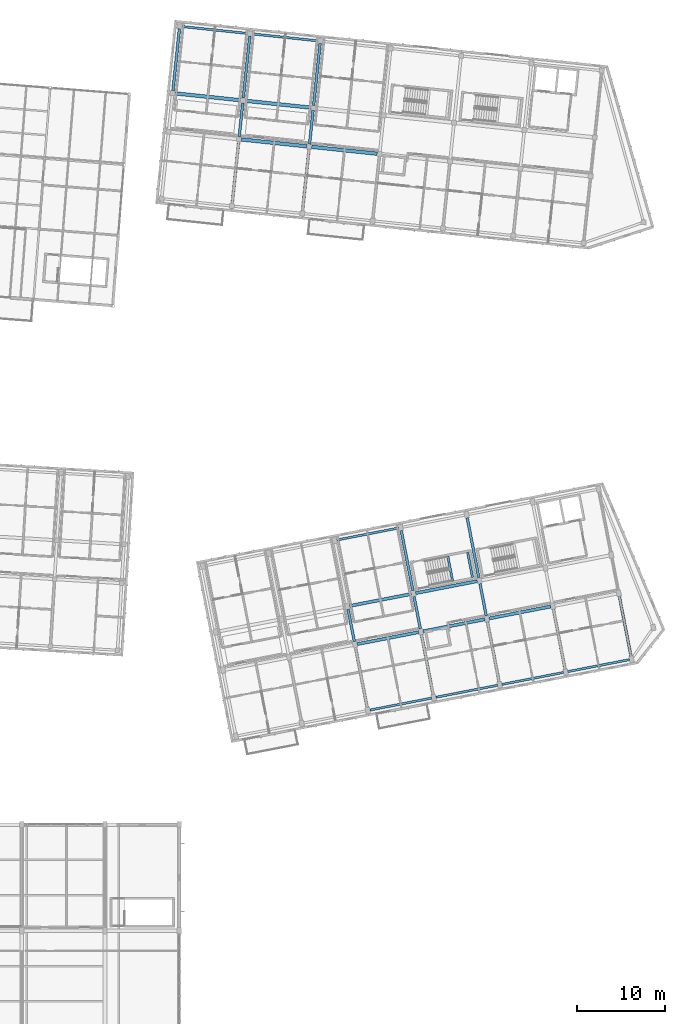
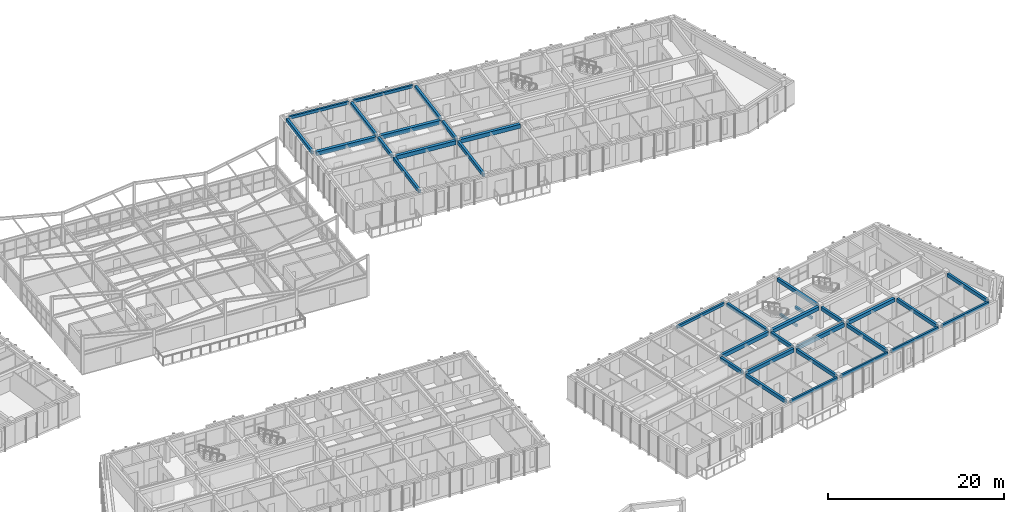
# One storey, part 55 of 127: 35 beams.
"""IFC4 building model written with IfcOpenShell, lengths in metres."""

from ifc_helpers import new_model, si_unit, direction, frame, origin, origin_2d, place, context, subcontext, project, spatial, rectangle, extrude, material, material_profile, profile_set, type_object, element, save


model = new_model("IFC4")

# Units and contexts
model_context = context("Model", 3, precision=1e-05, world=origin(), true_north=direction((0.0, 1.0)))
body_context = subcontext(model_context, "Body", "Model", "MODEL_VIEW")
ifc_project = project(units=[si_unit("LENGTHUNIT", "METRE"), si_unit("AREAUNIT", "SQUARE_METRE"), si_unit("VOLUMEUNIT", "CUBIC_METRE"), si_unit("PLANEANGLEUNIT", "RADIAN"), si_unit("MASSUNIT", "GRAM", prefix="KILO")], contexts=[model_context])

# Site, building, storey
site_placement = place(None, origin())
site = spatial("IfcSite", under=ifc_project, at=site_placement, CompositionType="ELEMENT")
building_placement = place(site_placement, origin())
building = spatial("IfcBuilding", under=site, at=building_placement, Name="Kestramere Prow Commons", CompositionType="ELEMENT")
storey_placement = place(building_placement, frame((0.0, 0.0, 8.39990234375)))
storey = spatial("IfcBuildingStorey", under=building, at=storey_placement, Name="L02", CompositionType="ELEMENT", Elevation=8.39990234375)

# Beams
ifc_material_1 = material(Name="Precast concrete C40/50", Category="concrete")
ifc_material_profile_1 = material_profile(ifc_material_1, rectangle(XDim=0.39990234375, YDim=0.550048828125, at=origin_2d()), Name="PC-BM 400x550")
ifc_profile_set_1 = profile_set([ifc_material_profile_1], Name="Precast concrete C40/50")
beam_type_1 = type_object("IfcBeamType", Name="BM-B1 PC-BM 400x550", PredefinedType="BEAM", material=ifc_profile_set_1)
for number, where, z_axis, x_axis, name in (
    (1, (119.024169921875, 101.493408203125, 2.72509765625), (0.994520884665, -0.104538079019, 0.0), (0.104538079019, 0.994520884665, 0.0), "Block B L02 Longitudinal Beam 2-2"),
    (2, (126.980224609375, 100.6572265625, 2.72509765625), (0.994520884665, -0.104538079019, 0.0), (0.104538079019, 0.994520884665, 0.0), "Block B L02 Longitudinal Beam 2-3"),
    (3, (111.52783203125, 106.70556640625, 2.72509765625), (0.994520884665, -0.104538079019, 0.0), (0.104538079019, 0.994520884665, 0.0), "Block B L02 Longitudinal Beam 3-1"),
    (4, (119.484130859375, 105.869384765625, 2.72509765625), (0.994520884665, -0.104538079019, 0.0), (0.104538079019, 0.994520884665, 0.0), "Block B L02 Longitudinal Beam 3-2"),
):
    element("IfcBeam", number, at=place(storey_placement, frame(where, z_axis=z_axis, x_axis=x_axis)), inside=storey, type_object=beam_type_1, Name=name, PredefinedType="BEAM", context=body_context, shape_type="SweptSolid", body=[
        extrude(rectangle(XDim=0.39990234375, YDim=0.550048828125, at=origin_2d()), origin(), (0.0, 0.0, 1.0), 7.449951171875),
    ])
ifc_material_profile_2 = material_profile(ifc_material_1, rectangle(XDim=0.35009765625, YDim=0.5, at=origin_2d()), Name="PC-BM 350x500")
ifc_profile_set_2 = profile_set([ifc_material_profile_2], Name="Precast concrete C40/50")
beam_type_2 = type_object("IfcBeamType", Name="BM-D1 PC-BM 350x500", PredefinedType="BEAM", material=ifc_profile_set_2)
beam_1_placement = place(storey_placement, frame((132.115966796875, 44.408447265625, 2.75), z_axis=(0.981627020401, 0.190809834175, 0.0), x_axis=(-0.190809834175, 0.981627020401, 0.0)))
element("IfcBeam", 5, at=beam_1_placement, inside=storey, type_object=beam_type_2, Name="Block D L02 Longitudinal Beam 2-3", PredefinedType="BEAM", context=body_context, shape_type="SweptSolid", body=[
    extrude(rectangle(XDim=0.35009765625, YDim=0.5, at=origin_2d()), origin(), (0.0, 0.0, 1.0), 7.099853515625),
])
for number, where, z_axis, x_axis, name in (
    (6, (139.576416015625, 45.8583984375, 2.75), (0.981620579181, 0.190842968244, 0.0), (-0.190842968244, 0.981620579181, 0.0), "Block D L02 Longitudinal Beam 2-4"),
    (7, (147.03662109375, 47.30859375, 2.75), (0.98162827229, 0.190803393686, 0.0), (-0.190803393686, 0.98162827229, 0.0), "Block D L02 Longitudinal Beam 2-5"),
    (8, (131.2763671875, 48.7275390625, 2.75), (0.98162827229, 0.190803393686, 0.0), (-0.190803393686, 0.98162827229, 0.0), "Block D L02 Longitudinal Beam 3-3"),
):
    element("IfcBeam", number, at=place(storey_placement, frame(where, z_axis=z_axis, x_axis=x_axis)), inside=storey, type_object=beam_type_2, Name=name, PredefinedType="BEAM", context=body_context, shape_type="SweptSolid", body=[
        extrude(rectangle(XDim=0.35009765625, YDim=0.5, at=origin_2d()), origin(), (0.0, 0.0, 1.0), 7.10009765625),
    ])
beam_2_placement = place(storey_placement, frame((138.73681640625, 50.177734375, 2.75), z_axis=(0.981627020401, 0.190809834175, 0.0), x_axis=(-0.190809834175, 0.981627020401, 0.0)))
element("IfcBeam", 9, at=beam_2_placement, inside=storey, type_object=beam_type_2, Name="Block D L02 Longitudinal Beam 3-4", PredefinedType="BEAM", context=body_context, shape_type="SweptSolid", body=[
    extrude(rectangle(XDim=0.35009765625, YDim=0.5, at=origin_2d()), origin(), (0.0, 0.0, 1.0), 7.099853515625),
])
ifc_material_2 = material(Name="Concrete C40/50", Category="concrete")
ifc_material_profile_3 = material_profile(ifc_material_2, rectangle(XDim=0.25, YDim=0.35009765625, at=origin_2d()), Name="PC-BM 250x350")
ifc_profile_set_3 = profile_set([ifc_material_profile_3], Name="Concrete C40/50")
beam_type_3 = type_object("IfcBeamType", Name="BM-ST-TRIM", PredefinedType="BEAM", material=ifc_profile_set_3)
beam_3_placement = place(storey_placement, frame((142.92529296875, 51.53173828125, 1.25), z_axis=(-0.190752078966, 0.981638245165, 0.0), x_axis=(-0.981638245165, -0.190752078966, 0.0)))
element("IfcBeam", 10, at=beam_3_placement, inside=storey, type_object=beam_type_3, Name="ST-D1 L02 Landing Trimmer Beam 1A", PredefinedType="BEAM", context=body_context, shape_type="SweptSolid", body=[
    extrude(rectangle(XDim=0.25, YDim=0.35009765625, at=origin_2d()), origin(), (0.0, 0.0, 1.0), 2.889892578125),
])
beam_4_placement = place(storey_placement, frame((145.16357421875, 51.966796875, 1.25), z_axis=(-0.190833481473, 0.981622423516, 0.0), x_axis=(-0.981622423516, -0.190833481473, 0.0)))
element("IfcBeam", 11, at=beam_4_placement, inside=storey, type_object=beam_type_3, Name="ST-D1 L02 Landing Trimmer Beam 1B", PredefinedType="BEAM", context=body_context, shape_type="SweptSolid", body=[
    extrude(rectangle(XDim=0.25, YDim=0.35009765625, at=origin_2d()), origin(), (0.0, 0.0, 1.0), 2.89013671875),
])
ifc_material_profile_4 = material_profile(ifc_material_1, rectangle(XDim=0.300048828125, YDim=0.5, at=origin_2d()), Name="PC-BM 300x500")
ifc_profile_set_4 = profile_set([ifc_material_profile_4], Name="Precast concrete C40/50")
beam_type_4 = type_object("IfcBeamType", Name="BM-TIE-01 PC-BM 300x500", PredefinedType="BEAM", material=ifc_profile_set_4)
for number, where, z_axis, x_axis, name in (
    (12, (111.283203125, 107.0078125, 2.75), (0.104515329964, 0.994523275646, 0.0), (-0.994523275646, 0.104515329964, 0.0), "Block B L02 Transverse Beam 1-3"),
    (13, (117.98486328125, 94.2373046875, 2.75), (0.104549582151, 0.994519675458, 0.0), (-0.994519675458, 0.104549582151, 0.0), "Block B L02 Transverse Beam 2-1"),
):
    element("IfcBeam", number, at=place(storey_placement, frame(where, z_axis=z_axis, x_axis=x_axis)), inside=storey, type_object=beam_type_4, Name=name, PredefinedType="BEAM", context=body_context, shape_type="SweptSolid", body=[
        extrude(rectangle(XDim=0.300048828125, YDim=0.5, at=origin_2d()), origin(), (0.0, 0.0, 1.0), 7.0498046875),
    ])
beam_5_placement = place(storey_placement, frame((118.779296875, 101.795654296875, 2.75), z_axis=(0.104569249198, 0.994517607749, 0.0), x_axis=(-0.994517607749, 0.104569249198, 0.0)))
element("IfcBeam", 14, at=beam_5_placement, inside=storey, type_object=beam_type_4, Name="Block B L02 Transverse Beam 2-2", PredefinedType="BEAM", context=body_context, shape_type="SweptSolid", body=[
    extrude(rectangle(XDim=0.300048828125, YDim=0.5, at=origin_2d()), origin(), (0.0, 0.0, 1.0), 3.849853515625),
])
for number, where, z_axis, x_axis, name in (
    (15, (119.2392578125, 106.171630859375, 2.75), (0.104515329964, 0.994523275646, 0.0), (-0.994523275646, 0.104515329964, 0.0), "Block B L02 Transverse Beam 2-3"),
    (16, (125.941162109375, 93.401123046875, 2.75), (0.104515329964, 0.994523275646, 0.0), (-0.994523275646, 0.104515329964, 0.0), "Block B L02 Transverse Beam 3-1"),
):
    element("IfcBeam", number, at=place(storey_placement, frame(where, z_axis=z_axis, x_axis=x_axis)), inside=storey, type_object=beam_type_4, Name=name, PredefinedType="BEAM", context=body_context, shape_type="SweptSolid", body=[
        extrude(rectangle(XDim=0.300048828125, YDim=0.5, at=origin_2d()), origin(), (0.0, 0.0, 1.0), 7.0498046875),
    ])
beam_6_placement = place(storey_placement, frame((126.735595703125, 100.95947265625, 2.75), z_axis=(0.104506528251, 0.994524200587, 0.0), x_axis=(-0.994524200587, 0.104506528251, 0.0)))
element("IfcBeam", 17, at=beam_6_placement, inside=storey, type_object=beam_type_4, Name="Block B L02 Transverse Beam 3-2", PredefinedType="BEAM", context=body_context, shape_type="SweptSolid", body=[
    extrude(rectangle(XDim=0.300048828125, YDim=0.5, at=origin_2d()), origin(), (0.0, 0.0, 1.0), 3.849853515625),
])
beam_7_placement = place(storey_placement, frame((127.195556640625, 105.335205078125, 2.75), z_axis=(0.104511730475, 0.994523653913, 0.0), x_axis=(-0.994523653913, 0.104511730475, 0.0)))
element("IfcBeam", 18, at=beam_7_placement, inside=storey, type_object=beam_type_4, Name="Block B L02 Transverse Beam 3-3", PredefinedType="BEAM", context=body_context, shape_type="SweptSolid", body=[
    extrude(rectangle(XDim=0.300048828125, YDim=0.5, at=origin_2d()), origin(), (0.0, 0.0, 1.0), 7.050048828125),
])
beam_8_placement = place(storey_placement, frame((133.25390625, 37.243896484375, 2.75), z_axis=(-0.190819465253, 0.981625148252, 0.0), x_axis=(-0.981625148252, -0.190819465253, 0.0)))
element("IfcBeam", 19, at=beam_8_placement, inside=storey, type_object=beam_type_4, Name="Block D L02 Transverse Beam 3-1", PredefinedType="BEAM", context=body_context, shape_type="SweptSolid", body=[
    extrude(rectangle(XDim=0.300048828125, YDim=0.5, at=origin_2d()), origin(), (0.0, 0.0, 1.0), 6.89990234375),
])
beam_9_placement = place(storey_placement, frame((131.8037109375, 44.704345703125, 2.75), z_axis=(-0.190770750015, 0.98163461682, 0.0), x_axis=(-0.98163461682, -0.190770750015, 0.0)))
element("IfcBeam", 20, at=beam_9_placement, inside=storey, type_object=beam_type_4, Name="Block D L02 Transverse Beam 3-2", PredefinedType="BEAM", context=body_context, shape_type="SweptSolid", body=[
    extrude(rectangle(XDim=0.300048828125, YDim=0.5, at=origin_2d()), origin(), (0.0, 0.0, 1.0), 3.69970703125),
])
beam_10_placement = place(storey_placement, frame((140.71435546875, 38.694091796875, 2.75), z_axis=(-0.190819465253, 0.981625148252, 0.0), x_axis=(-0.981625148252, -0.190819465253, 0.0)))
element("IfcBeam", 21, at=beam_10_placement, inside=storey, type_object=beam_type_4, Name="Block D L02 Transverse Beam 4-1", PredefinedType="BEAM", context=body_context, shape_type="SweptSolid", body=[
    extrude(rectangle(XDim=0.300048828125, YDim=0.5, at=origin_2d()), origin(), (0.0, 0.0, 1.0), 6.89990234375),
])
beam_11_placement = place(storey_placement, frame((139.26416015625, 46.154296875, 2.75), z_axis=(-0.190821974723, 0.981624660429, 0.0), x_axis=(-0.981624660429, -0.190821974723, 0.0)))
element("IfcBeam", 22, at=beam_11_placement, inside=storey, type_object=beam_type_4, Name="Block D L02 Transverse Beam 4-2", PredefinedType="BEAM", context=body_context, shape_type="SweptSolid", body=[
    extrude(rectangle(XDim=0.300048828125, YDim=0.5, at=origin_2d()), origin(), (0.0, 0.0, 1.0), 3.699951171875),
])
beam_12_placement = place(storey_placement, frame((138.424560546875, 50.4736328125, 2.75), z_axis=(-0.190819465253, 0.981625148252, 0.0), x_axis=(-0.981625148252, -0.190819465253, 0.0)))
element("IfcBeam", 23, at=beam_12_placement, inside=storey, type_object=beam_type_4, Name="Block D L02 Transverse Beam 4-3", PredefinedType="BEAM", context=body_context, shape_type="SweptSolid", body=[
    extrude(rectangle(XDim=0.300048828125, YDim=0.5, at=origin_2d()), origin(), (0.0, 0.0, 1.0), 6.89990234375),
])
beam_13_placement = place(storey_placement, frame((148.1748046875, 40.14404296875, 2.75), z_axis=(-0.190812837813, 0.981626436546, 0.0), x_axis=(-0.981626436546, -0.190812837813, 0.0)))
element("IfcBeam", 24, at=beam_13_placement, inside=storey, type_object=beam_type_4, Name="Block D L02 Transverse Beam 5-1", PredefinedType="BEAM", context=body_context, shape_type="SweptSolid", body=[
    extrude(rectangle(XDim=0.300048828125, YDim=0.5, at=origin_2d()), origin(), (0.0, 0.0, 1.0), 6.900146484375),
])
beam_14_placement = place(storey_placement, frame((146.724609375, 47.6044921875, 2.75), z_axis=(-0.190821974723, 0.981624660429, 0.0), x_axis=(-0.981624660429, -0.190821974723, 0.0)))
element("IfcBeam", 25, at=beam_14_placement, inside=storey, type_object=beam_type_4, Name="Block D L02 Transverse Beam 5-2", PredefinedType="BEAM", context=body_context, shape_type="SweptSolid", body=[
    extrude(rectangle(XDim=0.300048828125, YDim=0.5, at=origin_2d()), origin(), (0.0, 0.0, 1.0), 3.699951171875),
])
beam_15_placement = place(storey_placement, frame((145.885009765625, 51.923583984375, 2.75), z_axis=(-0.190812837813, 0.981626436546, 0.0), x_axis=(-0.981626436546, -0.190812837813, 0.0)))
element("IfcBeam", 26, at=beam_15_placement, inside=storey, type_object=beam_type_4, Name="Block D L02 Transverse Beam 5-3", PredefinedType="BEAM", context=body_context, shape_type="SweptSolid", body=[
    extrude(rectangle(XDim=0.300048828125, YDim=0.5, at=origin_2d()), origin(), (0.0, 0.0, 1.0), 6.900146484375),
])
for number, where, z_axis, x_axis, name in (
    (27, (155.635009765625, 41.59423828125, 2.75), (-0.190819465253, 0.981625148252, 0.0), (-0.981625148252, -0.190819465253, 0.0), "Block D L02 Transverse Beam 6-1"),
    (28, (163.095458984375, 43.04443359375, 2.75), (-0.190819465253, 0.981625148252, 0.0), (-0.981625148252, -0.190819465253, 0.0), "Block D L02 Transverse Beam 7-1"),
):
    element("IfcBeam", number, at=place(storey_placement, frame(where, z_axis=z_axis, x_axis=x_axis)), inside=storey, type_object=beam_type_4, Name=name, PredefinedType="BEAM", context=body_context, shape_type="SweptSolid", body=[
        extrude(rectangle(XDim=0.300048828125, YDim=0.5, at=origin_2d()), origin(), (0.0, 0.0, 1.0), 6.89990234375),
    ])
ifc_material_profile_5 = material_profile(ifc_material_1, rectangle(XDim=0.25, YDim=0.39990234375, at=origin_2d()), Name="PC-SP 250x400")
ifc_profile_set_5 = profile_set([ifc_material_profile_5], Name="Precast concrete C40/50")
beam_type_5 = type_object("IfcBeamType", Name="SP-EXT-01 PC-SP 250x400", PredefinedType="SPANDREL", material=ifc_profile_set_5)
for number, where, z_axis, x_axis, name in (
    (29, (112.322265625, 114.263916015625, 2.800048828125), (0.994520884665, -0.104538079019, 0.0), (0.104538079019, 0.994520884665, 0.0), "Block B L02 Longitudinal Beam 4-1"),
    (30, (120.2783203125, 113.427734375, 2.800048828125), (0.994520884665, -0.104538079019, 0.0), (0.104538079019, 0.994520884665, 0.0), "Block B L02 Longitudinal Beam 4-2"),
):
    element("IfcBeam", number, at=place(storey_placement, frame(where, z_axis=z_axis, x_axis=x_axis)), inside=storey, type_object=beam_type_5, Name=name, PredefinedType="SPANDREL", context=body_context, shape_type="SweptSolid", body=[
        extrude(rectangle(XDim=0.25, YDim=0.39990234375, at=origin_2d()), origin(), (0.0, 0.0, 1.0), 7.449951171875),
    ])
for number, where, z_axis, x_axis, name in (
    (31, (133.566162109375, 36.947998046875, 2.800048828125), (0.981627020401, 0.190809834175, 0.0), (-0.190809834175, 0.981627020401, 0.0), "Block D L02 Longitudinal Beam 1-3"),
    (32, (141.026611328125, 38.398193359375, 2.800048828125), (0.981627020401, 0.190809834175, 0.0), (-0.190809834175, 0.981627020401, 0.0), "Block D L02 Longitudinal Beam 1-4"),
):
    element("IfcBeam", number, at=place(storey_placement, frame(where, z_axis=z_axis, x_axis=x_axis)), inside=storey, type_object=beam_type_5, Name=name, PredefinedType="SPANDREL", context=body_context, shape_type="SweptSolid", body=[
        extrude(rectangle(XDim=0.25, YDim=0.39990234375, at=origin_2d()), origin(), (0.0, 0.0, 1.0), 7.099853515625),
    ])
beam_16_placement = place(storey_placement, frame((148.48681640625, 39.848388671875, 2.800048828125), z_axis=(0.98162827229, 0.190803393686, 0.0), x_axis=(-0.190803393686, 0.98162827229, 0.0)))
element("IfcBeam", 33, at=beam_16_placement, inside=storey, type_object=beam_type_5, Name="Block D L02 Longitudinal Beam 1-5", PredefinedType="SPANDREL", context=body_context, shape_type="SweptSolid", body=[
    extrude(rectangle(XDim=0.25, YDim=0.39990234375, at=origin_2d()), origin(), (0.0, 0.0, 1.0), 7.10009765625),
])
beam_17_placement = place(storey_placement, frame((155.947265625, 41.29833984375, 2.800048828125), z_axis=(0.981627020401, 0.190809834175, 0.0), x_axis=(-0.190809834175, 0.981627020401, 0.0)))
element("IfcBeam", 34, at=beam_17_placement, inside=storey, type_object=beam_type_5, Name="Block D L02 Longitudinal Beam 1-6", PredefinedType="SPANDREL", context=body_context, shape_type="SweptSolid", body=[
    extrude(rectangle(XDim=0.25, YDim=0.39990234375, at=origin_2d()), origin(), (0.0, 0.0, 1.0), 7.099853515625),
])
beam_18_placement = place(storey_placement, frame((129.826171875, 56.18798828125, 2.800048828125), z_axis=(0.98162827229, 0.190803393686, 0.0), x_axis=(-0.190803393686, 0.98162827229, 0.0)))
element("IfcBeam", 35, at=beam_18_placement, inside=storey, type_object=beam_type_5, Name="Block D L02 Longitudinal Beam 4-3", PredefinedType="SPANDREL", context=body_context, shape_type="SweptSolid", body=[
    extrude(rectangle(XDim=0.25, YDim=0.39990234375, at=origin_2d()), origin(), (0.0, 0.0, 1.0), 7.10009765625),
])

save(model, "model.ifc")
